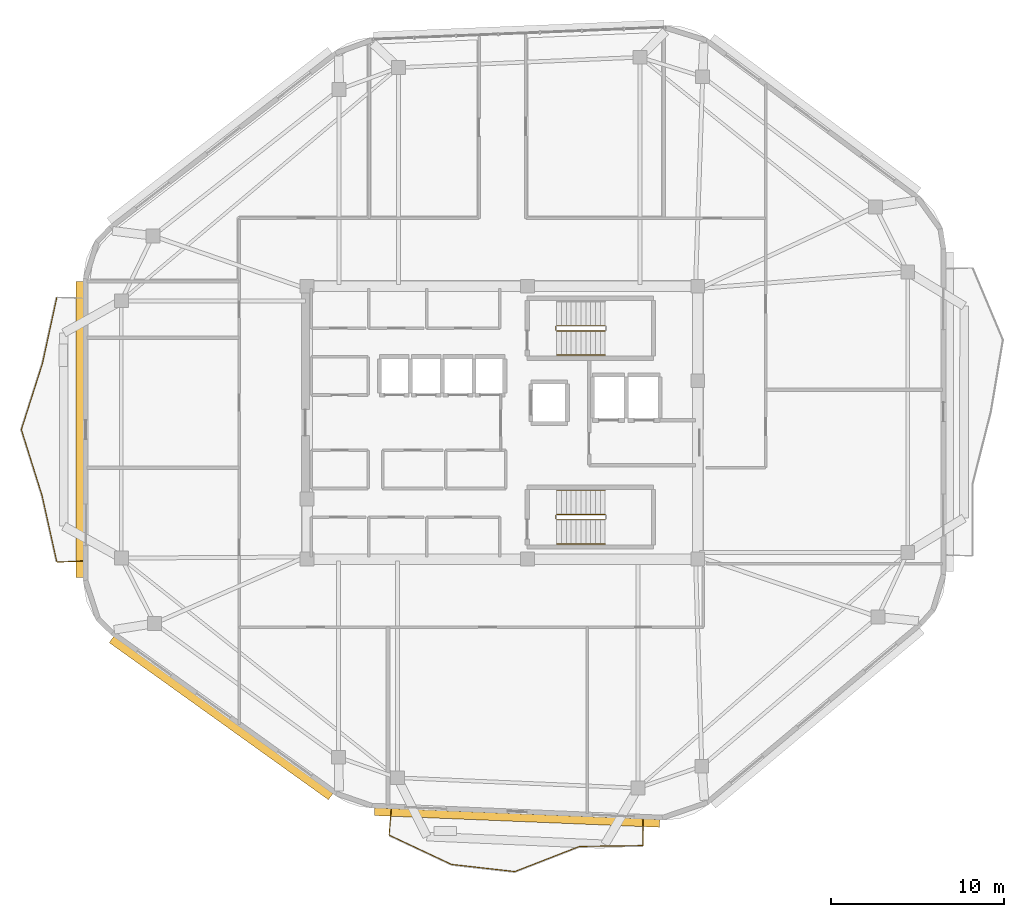
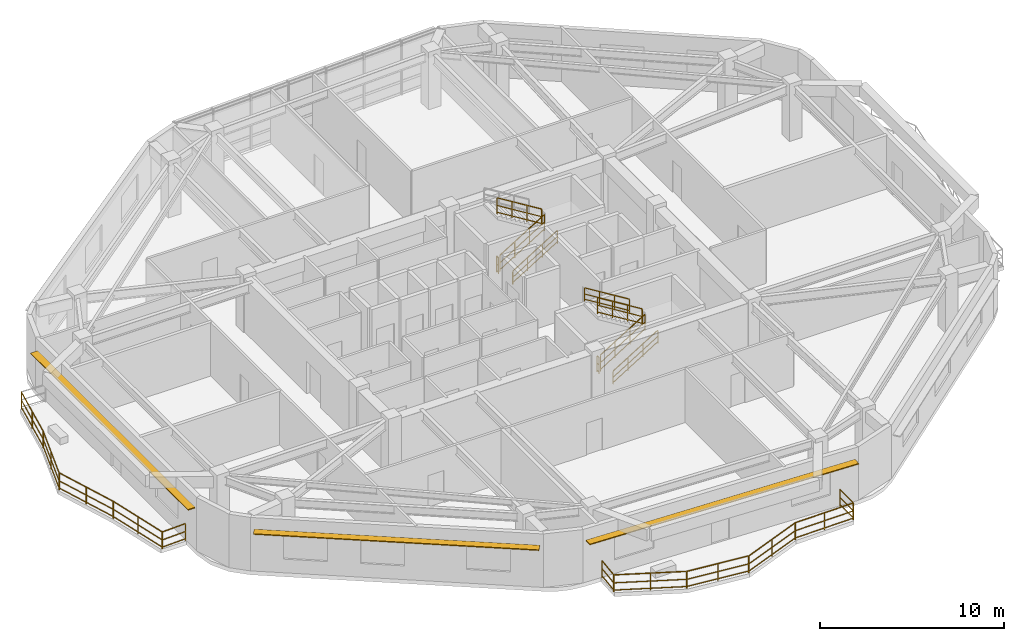
# One storey, part 10 of 12: 20 railings, 3 shading devices.
"""IFC4 building model written with IfcOpenShell, lengths in metres."""

from ifc_helpers import new_model, si_unit, direction, frame, origin, origin_2d, place, context, subcontext, project, spatial, rectangle, extrude, material, layer, layer_set, type_object, element, save


model = new_model("IFC4")

# Units and contexts
model_context = context("Model", 3, precision=1e-05, world=origin(), true_north=direction((0.0, 1.0)))
body_context = subcontext(model_context, "Body", "Model", "MODEL_VIEW")
ifc_project = project(units=[si_unit("LENGTHUNIT", "METRE"), si_unit("AREAUNIT", "SQUARE_METRE"), si_unit("VOLUMEUNIT", "CUBIC_METRE"), si_unit("PLANEANGLEUNIT", "RADIAN"), si_unit("MASSUNIT", "GRAM", prefix="KILO")], contexts=[model_context])

# Site, building, storey
site_placement = place(None, origin())
site = spatial("IfcSite", under=ifc_project, at=site_placement, CompositionType="ELEMENT")
building_placement = place(site_placement, origin())
building = spatial("IfcBuilding", under=site, at=building_placement, Name="Zulverin Broadcast Headquarters", CompositionType="ELEMENT")
storey_placement = place(building_placement, frame((0.0, 0.0, 289.60009765625)))
storey = spatial("IfcBuildingStorey", under=building, at=storey_placement, Name="L74", CompositionType="ELEMENT", Elevation=289.60009765625)

# Railings
ifc_material_1 = material(Name="Brushed stainless steel & laminated glass balustrade", Category="steel")
railing_type_1 = type_object("IfcRailingType", Name="RL-GUARD-1150", PredefinedType="GUARDRAIL", material=ifc_material_1)
railing_1_placement = place(storey_placement, frame((30.580078125, 2.86572265625, 0.0)))
element("IfcRailing", 1, at=railing_1_placement, inside=storey, type_object=railing_type_1, Name="L74 Vertical-Forest Balcony Guardrail BAL_S Segment 01", PredefinedType="GUARDRAIL", context=body_context, shape_type="SweptSolid", body=[
    extrude(rectangle(XDim=0.048095703125, YDim=0.048095703125, at=origin_2d()), frame((0.0, 0.0, 1.1259765625), z_axis=(-0.08159832835, -0.996665296281, 0.0), x_axis=(0.996665296281, -0.08159832835, 0.0)), (0.0, 0.0, 1.0), 1.466064453125),
    extrude(rectangle(XDim=0.0419921875, YDim=0.0419921875, at=origin_2d()), frame((0.0, 0.0, 0.597900390625), z_axis=(-0.08159832835, -0.996665296281, 0.0), x_axis=(0.996665296281, -0.08159832835, 0.0)), (0.0, 0.0, 1.0), 1.466064453125),
    extrude(rectangle(XDim=0.0419921875, YDim=0.0419921875, at=origin_2d()), frame((0.0, 0.0, 0.1201171875), z_axis=(-0.08159832835, -0.996665296281, 0.0), x_axis=(0.996665296281, -0.08159832835, 0.0)), (0.0, 0.0, 1.0), 1.466064453125),
    extrude(rectangle(XDim=0.0419921875, YDim=0.0419921875, at=origin_2d()), origin(), (0.0, 0.0, 1.0), 1.101806640625),
    extrude(rectangle(XDim=0.0419921875, YDim=0.0419921875, at=origin_2d()), frame((-0.11962890625, -1.461181640625, 0.0)), (0.0, 0.0, 1.0), 1.101806640625),
])
railing_2_placement = place(storey_placement, frame((30.472900390625, 1.383056640625, 0.0)))
element("IfcRailing", 2, at=railing_2_placement, inside=storey, type_object=railing_type_1, Name="L74 Vertical-Forest Balcony Guardrail BAL_S Segment 02", PredefinedType="GUARDRAIL", context=body_context, shape_type="SweptSolid", body=[
    extrude(rectangle(XDim=0.048095703125, YDim=0.048095703125, at=origin_2d()), frame((0.0, 0.0, 1.1259765625), z_axis=(0.905312629382, -0.424745857049, 0.0), x_axis=(0.424745857049, 0.905312629382, 0.0)), (0.0, 0.0, 1.0), 3.949462890625),
    extrude(rectangle(XDim=0.0419921875, YDim=0.0419921875, at=origin_2d()), frame((0.0, 0.0, 0.597900390625), z_axis=(0.905312629382, -0.424745857049, 0.0), x_axis=(0.424745857049, 0.905312629382, 0.0)), (0.0, 0.0, 1.0), 3.949462890625),
    extrude(rectangle(XDim=0.0419921875, YDim=0.0419921875, at=origin_2d()), frame((0.0, 0.0, 0.1201171875), z_axis=(0.905312629382, -0.424745857049, 0.0), x_axis=(0.424745857049, 0.905312629382, 0.0)), (0.0, 0.0, 1.0), 3.949462890625),
    extrude(rectangle(XDim=0.0419921875, YDim=0.0419921875, at=origin_2d()), origin(), (0.0, 0.0, 1.0), 1.101806640625),
    extrude(rectangle(XDim=0.0419921875, YDim=0.0419921875, at=origin_2d()), frame((1.78759765625, -0.8388671875, 0.0)), (0.0, 0.0, 1.0), 1.101806640625),
    extrude(rectangle(XDim=0.0419921875, YDim=0.0419921875, at=origin_2d()), frame((3.575439453125, -1.677490234375, 0.0)), (0.0, 0.0, 1.0), 1.101806640625),
])
railing_3_placement = place(storey_placement, frame((34.076904296875, -0.302490234375, 0.0)))
element("IfcRailing", 3, at=railing_3_placement, inside=storey, type_object=railing_type_1, Name="L74 Vertical-Forest Balcony Guardrail BAL_S Segment 03", PredefinedType="GUARDRAIL", context=body_context, shape_type="SweptSolid", body=[
    extrude(rectangle(XDim=0.048095703125, YDim=0.048095703125, at=origin_2d()), frame((0.0, 0.0, 1.1259765625), z_axis=(0.993697909908, -0.11209131922, 0.0), x_axis=(0.11209131922, 0.993697909908, 0.0)), (0.0, 0.0, 1.0), 3.648193359375),
    extrude(rectangle(XDim=0.0419921875, YDim=0.0419921875, at=origin_2d()), frame((0.0, 0.0, 0.597900390625), z_axis=(0.993697909908, -0.11209131922, 0.0), x_axis=(0.11209131922, 0.993697909908, 0.0)), (0.0, 0.0, 1.0), 3.648193359375),
    extrude(rectangle(XDim=0.0419921875, YDim=0.0419921875, at=origin_2d()), frame((0.0, 0.0, 0.1201171875), z_axis=(0.993697909908, -0.11209131922, 0.0), x_axis=(0.11209131922, 0.993697909908, 0.0)), (0.0, 0.0, 1.0), 3.648193359375),
    extrude(rectangle(XDim=0.0419921875, YDim=0.0419921875, at=origin_2d()), origin(), (0.0, 0.0, 1.0), 1.101806640625),
    extrude(rectangle(XDim=0.0419921875, YDim=0.0419921875, at=origin_2d()), frame((1.8125, -0.20458984375, 0.0)), (0.0, 0.0, 1.0), 1.101806640625),
    extrude(rectangle(XDim=0.0419921875, YDim=0.0419921875, at=origin_2d()), frame((3.625244140625, -0.408935546875, 0.0)), (0.0, 0.0, 1.0), 1.101806640625),
])
railing_4_placement = place(storey_placement, frame((37.731201171875, -0.707763671875, 0.0)))
element("IfcRailing", 4, at=railing_4_placement, inside=storey, type_object=railing_type_1, Name="L74 Vertical-Forest Balcony Guardrail BAL_S Segment 04", PredefinedType="GUARDRAIL", context=body_context, shape_type="SweptSolid", body=[
    extrude(rectangle(XDim=0.048095703125, YDim=0.048095703125, at=origin_2d()), frame((0.0, 0.0, 1.1259765625), z_axis=(0.931972385527, 0.362529271391, 0.0), x_axis=(-0.362529271391, 0.931972385527, 0.0)), (0.0, 0.0, 1.0), 3.973876953125),
    extrude(rectangle(XDim=0.0419921875, YDim=0.0419921875, at=origin_2d()), frame((0.0, 0.0, 0.597900390625), z_axis=(0.931972385527, 0.362529271391, 0.0), x_axis=(-0.362529271391, 0.931972385527, 0.0)), (0.0, 0.0, 1.0), 3.973876953125),
    extrude(rectangle(XDim=0.0419921875, YDim=0.0419921875, at=origin_2d()), frame((0.0, 0.0, 0.1201171875), z_axis=(0.931972385527, 0.362529271391, 0.0), x_axis=(-0.362529271391, 0.931972385527, 0.0)), (0.0, 0.0, 1.0), 3.973876953125),
    extrude(rectangle(XDim=0.0419921875, YDim=0.0419921875, at=origin_2d()), origin(), (0.0, 0.0, 1.0), 1.101806640625),
    extrude(rectangle(XDim=0.0419921875, YDim=0.0419921875, at=origin_2d()), frame((1.851806640625, 0.72021484375, 0.0)), (0.0, 0.0, 1.0), 1.101806640625),
    extrude(rectangle(XDim=0.0419921875, YDim=0.0419921875, at=origin_2d()), frame((3.70361328125, 1.440673828125, 0.0)), (0.0, 0.0, 1.0), 1.101806640625),
])
railing_5_placement = place(storey_placement, frame((41.4638671875, 0.73828125, 0.0)))
element("IfcRailing", 5, at=railing_5_placement, inside=storey, type_object=railing_type_1, Name="L74 Vertical-Forest Balcony Guardrail BAL_S Segment 05", PredefinedType="GUARDRAIL", context=body_context, shape_type="SweptSolid", body=[
    extrude(rectangle(XDim=0.048095703125, YDim=0.048095703125, at=origin_2d()), frame((0.0, 0.0, 1.1259765625), z_axis=(0.999912025624, 0.013264275832, 0.0), x_axis=(-0.013264275832, 0.999912025624, 0.0)), (0.0, 0.0, 1.0), 3.644287109375),
    extrude(rectangle(XDim=0.0419921875, YDim=0.0419921875, at=origin_2d()), frame((0.0, 0.0, 0.597900390625), z_axis=(0.999912025624, 0.013264275832, 0.0), x_axis=(-0.013264275832, 0.999912025624, 0.0)), (0.0, 0.0, 1.0), 3.644287109375),
    extrude(rectangle(XDim=0.0419921875, YDim=0.0419921875, at=origin_2d()), frame((0.0, 0.0, 0.1201171875), z_axis=(0.999912025624, 0.013264275832, 0.0), x_axis=(-0.013264275832, 0.999912025624, 0.0)), (0.0, 0.0, 1.0), 3.644287109375),
    extrude(rectangle(XDim=0.0419921875, YDim=0.0419921875, at=origin_2d()), origin(), (0.0, 0.0, 1.0), 1.101806640625),
    extrude(rectangle(XDim=0.0419921875, YDim=0.0419921875, at=origin_2d()), frame((1.822021484375, 0.024169921875, 0.0)), (0.0, 0.0, 1.0), 1.101806640625),
    extrude(rectangle(XDim=0.0419921875, YDim=0.0419921875, at=origin_2d()), frame((3.64404296875, 0.04833984375, 0.0)), (0.0, 0.0, 1.0), 1.101806640625),
])
railing_6_placement = place(storey_placement, frame((45.123046875, 0.8017578125, 0.0)))
element("IfcRailing", 6, at=railing_6_placement, inside=storey, type_object=railing_type_1, Name="L74 Vertical-Forest Balcony Guardrail BAL_S Segment 06", PredefinedType="GUARDRAIL", context=body_context, shape_type="SweptSolid", body=[
    extrude(rectangle(XDim=0.048095703125, YDim=0.048095703125, at=origin_2d()), frame((0.0, 0.0, 1.1259765625), z_axis=(0.000499500437, 0.99999987525, 0.0), x_axis=(-0.99999987525, 0.000499500437, 0.0)), (0.0, 0.0, 1.0), 1.46630859375),
    extrude(rectangle(XDim=0.0419921875, YDim=0.0419921875, at=origin_2d()), frame((0.0, 0.0, 0.597900390625), z_axis=(0.000499500437, 0.99999987525, 0.0), x_axis=(-0.99999987525, 0.000499500437, 0.0)), (0.0, 0.0, 1.0), 1.46630859375),
    extrude(rectangle(XDim=0.0419921875, YDim=0.0419921875, at=origin_2d()), frame((0.0, 0.0, 0.1201171875), z_axis=(0.000499500437, 0.99999987525, 0.0), x_axis=(-0.99999987525, 0.000499500437, 0.0)), (0.0, 0.0, 1.0), 1.46630859375),
    extrude(rectangle(XDim=0.0419921875, YDim=0.0419921875, at=origin_2d()), origin(), (0.0, 0.0, 1.0), 1.101806640625),
    extrude(rectangle(XDim=0.0419921875, YDim=0.0419921875, at=origin_2d()), frame((0.000732421875, 1.46630859375, 0.0)), (0.0, 0.0, 1.0), 1.101806640625),
])
railing_7_placement = place(storey_placement, frame((11.27685546875, 32.433349609375, 0.0)))
element("IfcRailing", 7, at=railing_7_placement, inside=storey, type_object=railing_type_1, Name="L74 Vertical-Forest Balcony Guardrail BAL_W Segment 02", PredefinedType="GUARDRAIL", context=body_context, shape_type="SweptSolid", body=[
    extrude(rectangle(XDim=0.048095703125, YDim=0.048095703125, at=origin_2d()), frame((0.0, 0.0, 1.1259765625), z_axis=(-0.212554923613, -0.977149120886, 0.0), x_axis=(0.977149120886, -0.212554923613, 0.0)), (0.0, 0.0, 1.0), 3.88330078125),
    extrude(rectangle(XDim=0.0419921875, YDim=0.0419921875, at=origin_2d()), frame((0.0, 0.0, 0.597900390625), z_axis=(-0.212554923613, -0.977149120886, 0.0), x_axis=(0.977149120886, -0.212554923613, 0.0)), (0.0, 0.0, 1.0), 3.88330078125),
    extrude(rectangle(XDim=0.0419921875, YDim=0.0419921875, at=origin_2d()), frame((0.0, 0.0, 0.1201171875), z_axis=(-0.212554923613, -0.977149120886, 0.0), x_axis=(0.977149120886, -0.212554923613, 0.0)), (0.0, 0.0, 1.0), 3.88330078125),
    extrude(rectangle(XDim=0.0419921875, YDim=0.0419921875, at=origin_2d()), origin(), (0.0, 0.0, 1.0), 1.101806640625),
    extrude(rectangle(XDim=0.0419921875, YDim=0.0419921875, at=origin_2d()), frame((-0.41259765625, -1.8974609375, 0.0)), (0.0, 0.0, 1.0), 1.101806640625),
    extrude(rectangle(XDim=0.0419921875, YDim=0.0419921875, at=origin_2d()), frame((-0.825439453125, -3.794677734375, 0.0)), (0.0, 0.0, 1.0), 1.101806640625),
])
railing_8_placement = place(storey_placement, frame((10.443603515625, 28.609619140625, 0.0)))
element("IfcRailing", 8, at=railing_8_placement, inside=storey, type_object=railing_type_1, Name="L74 Vertical-Forest Balcony Guardrail BAL_W Segment 03", PredefinedType="GUARDRAIL", context=body_context, shape_type="SweptSolid", body=[
    extrude(rectangle(XDim=0.048095703125, YDim=0.048095703125, at=origin_2d()), frame((0.0, 0.0, 1.1259765625), z_axis=(-0.303512280467, -0.952827526684, 0.0), x_axis=(0.952827526684, -0.303512280467, 0.0)), (0.0, 0.0, 1.0), 3.9833984375),
    extrude(rectangle(XDim=0.0419921875, YDim=0.0419921875, at=origin_2d()), frame((0.0, 0.0, 0.597900390625), z_axis=(-0.303512280467, -0.952827526684, 0.0), x_axis=(0.952827526684, -0.303512280467, 0.0)), (0.0, 0.0, 1.0), 3.9833984375),
    extrude(rectangle(XDim=0.0419921875, YDim=0.0419921875, at=origin_2d()), frame((0.0, 0.0, 0.1201171875), z_axis=(-0.303512280467, -0.952827526684, 0.0), x_axis=(0.952827526684, -0.303512280467, 0.0)), (0.0, 0.0, 1.0), 3.9833984375),
    extrude(rectangle(XDim=0.0419921875, YDim=0.0419921875, at=origin_2d()), origin(), (0.0, 0.0, 1.0), 1.101806640625),
    extrude(rectangle(XDim=0.0419921875, YDim=0.0419921875, at=origin_2d()), frame((-0.6044921875, -1.897705078125, 0.0)), (0.0, 0.0, 1.0), 1.101806640625),
    extrude(rectangle(XDim=0.0419921875, YDim=0.0419921875, at=origin_2d()), frame((-1.208984375, -3.79541015625, 0.0)), (0.0, 0.0, 1.0), 1.101806640625),
])
railing_9_placement = place(storey_placement, frame((9.234619140625, 24.785400390625, 0.0)))
element("IfcRailing", 9, at=railing_9_placement, inside=storey, type_object=railing_type_1, Name="L74 Vertical-Forest Balcony Guardrail BAL_W Segment 04", PredefinedType="GUARDRAIL", context=body_context, shape_type="SweptSolid", body=[
    extrude(rectangle(XDim=0.048095703125, YDim=0.048095703125, at=origin_2d()), frame((0.0, 0.0, 1.1259765625), z_axis=(0.299330213992, -0.954149581036, 0.0), x_axis=(0.954149581036, 0.299330213992, 0.0)), (0.0, 0.0, 1.0), 3.977783203125),
    extrude(rectangle(XDim=0.0419921875, YDim=0.0419921875, at=origin_2d()), frame((0.0, 0.0, 0.597900390625), z_axis=(0.299330213992, -0.954149581036, 0.0), x_axis=(0.954149581036, 0.299330213992, 0.0)), (0.0, 0.0, 1.0), 3.977783203125),
    extrude(rectangle(XDim=0.0419921875, YDim=0.0419921875, at=origin_2d()), frame((0.0, 0.0, 0.1201171875), z_axis=(0.299330213992, -0.954149581036, 0.0), x_axis=(0.954149581036, 0.299330213992, 0.0)), (0.0, 0.0, 1.0), 3.977783203125),
    extrude(rectangle(XDim=0.0419921875, YDim=0.0419921875, at=origin_2d()), origin(), (0.0, 0.0, 1.0), 1.101806640625),
    extrude(rectangle(XDim=0.0419921875, YDim=0.0419921875, at=origin_2d()), frame((0.59521484375, -1.897705078125, 0.0)), (0.0, 0.0, 1.0), 1.101806640625),
    extrude(rectangle(XDim=0.0419921875, YDim=0.0419921875, at=origin_2d()), frame((1.190673828125, -3.79541015625, 0.0)), (0.0, 0.0, 1.0), 1.101806640625),
])
railing_10_placement = place(storey_placement, frame((10.43310546875, 20.961181640625, 0.0)))
element("IfcRailing", 10, at=railing_10_placement, inside=storey, type_object=railing_type_1, Name="L74 Vertical-Forest Balcony Guardrail BAL_W Segment 05", PredefinedType="GUARDRAIL", context=body_context, shape_type="SweptSolid", body=[
    extrude(rectangle(XDim=0.048095703125, YDim=0.048095703125, at=origin_2d()), frame((0.0, 0.0, 1.1259765625), z_axis=(0.216977004099, -0.976176715402, 0.0), x_axis=(0.976176715402, 0.216977004099, 0.0)), (0.0, 0.0, 1.0), 3.887451171875),
    extrude(rectangle(XDim=0.0419921875, YDim=0.0419921875, at=origin_2d()), frame((0.0, 0.0, 0.597900390625), z_axis=(0.216977004099, -0.976176715402, 0.0), x_axis=(0.976176715402, 0.216977004099, 0.0)), (0.0, 0.0, 1.0), 3.887451171875),
    extrude(rectangle(XDim=0.0419921875, YDim=0.0419921875, at=origin_2d()), frame((0.0, 0.0, 0.1201171875), z_axis=(0.216977004099, -0.976176715402, 0.0), x_axis=(0.976176715402, 0.216977004099, 0.0)), (0.0, 0.0, 1.0), 3.887451171875),
    extrude(rectangle(XDim=0.0419921875, YDim=0.0419921875, at=origin_2d()), origin(), (0.0, 0.0, 1.0), 1.101806640625),
    extrude(rectangle(XDim=0.0419921875, YDim=0.0419921875, at=origin_2d()), frame((0.421875, -1.8974609375, 0.0)), (0.0, 0.0, 1.0), 1.101806640625),
    extrude(rectangle(XDim=0.0419921875, YDim=0.0419921875, at=origin_2d()), frame((0.843505859375, -3.794921875, 0.0)), (0.0, 0.0, 1.0), 1.101806640625),
])
railing_11_placement = place(storey_placement, frame((11.294921875, 17.15234375, 0.0)))
element("IfcRailing", 11, at=railing_11_placement, inside=storey, type_object=railing_type_1, Name="L74 Vertical-Forest Balcony Guardrail BAL_W Segment 06", PredefinedType="GUARDRAIL", context=body_context, shape_type="SweptSolid", body=[
    extrude(rectangle(XDim=0.048095703125, YDim=0.048095703125, at=origin_2d()), frame((0.0, 0.0, 1.1259765625), z_axis=(0.999181155166, 0.040460093435, 0.0), x_axis=(-0.040460093435, 0.999181155166, 0.0)), (0.0, 0.0, 1.0), 1.46630859375),
    extrude(rectangle(XDim=0.0419921875, YDim=0.0419921875, at=origin_2d()), frame((0.0, 0.0, 0.597900390625), z_axis=(0.999181155166, 0.040460093435, 0.0), x_axis=(-0.040460093435, 0.999181155166, 0.0)), (0.0, 0.0, 1.0), 1.46630859375),
    extrude(rectangle(XDim=0.0419921875, YDim=0.0419921875, at=origin_2d()), frame((0.0, 0.0, 0.1201171875), z_axis=(0.999181155166, 0.040460093435, 0.0), x_axis=(-0.040460093435, 0.999181155166, 0.0)), (0.0, 0.0, 1.0), 1.46630859375),
    extrude(rectangle(XDim=0.0419921875, YDim=0.0419921875, at=origin_2d()), origin(), (0.0, 0.0, 1.0), 1.101806640625),
    extrude(rectangle(XDim=0.0419921875, YDim=0.0419921875, at=origin_2d()), frame((1.465087890625, 0.059326171875, 0.0)), (0.0, 0.0, 1.0), 1.101806640625),
])
ifc_material_2 = material(Name="Painted galvanized steel tubular guardrail S355JR", Category="steel")
railing_type_2 = type_object("IfcRailingType", Name="RL-ST-GUARD", PredefinedType="GUARDRAIL", material=ifc_material_2)
railing_12_placement = place(storey_placement, frame((40.1298828125, 30.5, 0.172607421875)))
element("IfcRailing", 12, at=railing_12_placement, inside=storey, type_object=railing_type_2, Name="L74 ST-1 stair guard 1", PredefinedType="GUARDRAIL", context=body_context, shape_type="SweptSolid", body=[
    extrude(rectangle(XDim=0.048095703125, YDim=0.048095703125, at=origin_2d()), frame((0.0, 0.0, 1.076171875), z_axis=(0.851089632645, 0.0, 0.525020415988), x_axis=(0.0, 1.0, 0.0)), (0.0, 0.0, 1.0), 3.2900390625),
    extrude(rectangle(XDim=0.0419921875, YDim=0.0419921875, at=origin_2d()), frame((0.0, 0.0, 0.572021484375), z_axis=(0.851089632645, 0.0, 0.525020415988), x_axis=(0.0, 1.0, 0.0)), (0.0, 0.0, 1.0), 3.2900390625),
    extrude(rectangle(XDim=0.0419921875, YDim=0.0419921875, at=origin_2d()), frame((0.0, 0.0, 0.1201171875), z_axis=(0.851089632645, 0.0, 0.525020415988), x_axis=(0.0, 1.0, 0.0)), (0.0, 0.0, 1.0), 3.2900390625),
    extrude(rectangle(XDim=0.0419921875, YDim=0.0419921875, at=origin_2d()), origin(), (0.0, 0.0, 1.0), 1.052001953125),
    extrude(rectangle(XDim=0.0419921875, YDim=0.0419921875, at=origin_2d()), frame((0.933349609375, 0.0, 0.57568359375)), (0.0, 0.0, 1.0), 1.052001953125),
    extrude(rectangle(XDim=0.0419921875, YDim=0.0419921875, at=origin_2d()), frame((1.86669921875, 0.0, 1.151611328125)), (0.0, 0.0, 1.0), 1.052001953125),
    extrude(rectangle(XDim=0.0419921875, YDim=0.0419921875, at=origin_2d()), frame((2.800048828125, 0.0, 1.727294921875)), (0.0, 0.0, 1.0), 1.052001953125),
])
railing_13_placement = place(storey_placement, frame((42.929931640625, 30.800048828125, 2.072509765625)))
element("IfcRailing", 13, at=railing_13_placement, inside=storey, type_object=railing_type_2, Name="L74 ST-1 stair guard 3", PredefinedType="GUARDRAIL", context=body_context, shape_type="SweptSolid", body=[
    extrude(rectangle(XDim=0.048095703125, YDim=0.048095703125, at=origin_2d()), frame((0.0, 0.0, 1.076171875), z_axis=(-0.851089632645, 0.0, 0.525020415988), x_axis=(0.0, -1.0, 0.0)), (0.0, 0.0, 1.0), 3.2900390625),
    extrude(rectangle(XDim=0.0419921875, YDim=0.0419921875, at=origin_2d()), frame((0.0, 0.0, 0.572021484375), z_axis=(-0.851089632645, 0.0, 0.525020415988), x_axis=(0.0, -1.0, 0.0)), (0.0, 0.0, 1.0), 3.2900390625),
    extrude(rectangle(XDim=0.0419921875, YDim=0.0419921875, at=origin_2d()), frame((0.0, 0.0, 0.1201171875), z_axis=(-0.851089632645, 0.0, 0.525020415988), x_axis=(0.0, -1.0, 0.0)), (0.0, 0.0, 1.0), 3.2900390625),
    extrude(rectangle(XDim=0.0419921875, YDim=0.0419921875, at=origin_2d()), origin(), (0.0, 0.0, 1.0), 1.052001953125),
    extrude(rectangle(XDim=0.0419921875, YDim=0.0419921875, at=origin_2d()), frame((-0.933349609375, 0.0, 0.57568359375)), (0.0, 0.0, 1.0), 1.052001953125),
    extrude(rectangle(XDim=0.0419921875, YDim=0.0419921875, at=origin_2d()), frame((-1.86669921875, 0.0, 1.151611328125)), (0.0, 0.0, 1.0), 1.052001953125),
    extrude(rectangle(XDim=0.0419921875, YDim=0.0419921875, at=origin_2d()), frame((-2.800048828125, 0.0, 1.727294921875)), (0.0, 0.0, 1.0), 1.052001953125),
])
railing_14_placement = place(storey_placement, frame((40.080078125, 30.550048828125, 0.0)))
element("IfcRailing", 14, at=railing_14_placement, inside=storey, type_object=railing_type_2, Name="L74 ST-1 stair guard 4", PredefinedType="GUARDRAIL", context=body_context, shape_type="SweptSolid", body=[
    extrude(rectangle(XDim=0.048095703125, YDim=0.048095703125, at=origin_2d()), frame((0.0, 0.0, 1.076171875), z_axis=(0.0, 1.0, 0.0), x_axis=(-1.0, 0.0, 0.0)), (0.0, 0.0, 1.0), 0.199951171875),
    extrude(rectangle(XDim=0.0419921875, YDim=0.0419921875, at=origin_2d()), frame((0.0, 0.0, 0.572021484375), z_axis=(0.0, 1.0, 0.0), x_axis=(-1.0, 0.0, 0.0)), (0.0, 0.0, 1.0), 0.199951171875),
    extrude(rectangle(XDim=0.0419921875, YDim=0.0419921875, at=origin_2d()), frame((0.0, 0.0, 0.1201171875), z_axis=(0.0, 1.0, 0.0), x_axis=(-1.0, 0.0, 0.0)), (0.0, 0.0, 1.0), 0.199951171875),
    extrude(rectangle(XDim=0.0419921875, YDim=0.0419921875, at=origin_2d()), origin(), (0.0, 0.0, 1.0), 1.052001953125),
    extrude(rectangle(XDim=0.0419921875, YDim=0.0419921875, at=origin_2d()), frame((0.0, 0.199951171875, 0.0)), (0.0, 0.0, 1.0), 1.052001953125),
])
railing_15_placement = place(storey_placement, frame((40.1298828125, 19.60009765625, 0.172607421875)))
element("IfcRailing", 15, at=railing_15_placement, inside=storey, type_object=railing_type_2, Name="L74 ST-2 stair guard 1", PredefinedType="GUARDRAIL", context=body_context, shape_type="SweptSolid", body=[
    extrude(rectangle(XDim=0.048095703125, YDim=0.048095703125, at=origin_2d()), frame((0.0, 0.0, 1.076171875), z_axis=(0.851089632645, 0.0, 0.525020415988), x_axis=(0.0, 1.0, 0.0)), (0.0, 0.0, 1.0), 3.2900390625),
    extrude(rectangle(XDim=0.0419921875, YDim=0.0419921875, at=origin_2d()), frame((0.0, 0.0, 0.572021484375), z_axis=(0.851089632645, 0.0, 0.525020415988), x_axis=(0.0, 1.0, 0.0)), (0.0, 0.0, 1.0), 3.2900390625),
    extrude(rectangle(XDim=0.0419921875, YDim=0.0419921875, at=origin_2d()), frame((0.0, 0.0, 0.1201171875), z_axis=(0.851089632645, 0.0, 0.525020415988), x_axis=(0.0, 1.0, 0.0)), (0.0, 0.0, 1.0), 3.2900390625),
    extrude(rectangle(XDim=0.0419921875, YDim=0.0419921875, at=origin_2d()), origin(), (0.0, 0.0, 1.0), 1.052001953125),
    extrude(rectangle(XDim=0.0419921875, YDim=0.0419921875, at=origin_2d()), frame((0.933349609375, 0.0, 0.57568359375)), (0.0, 0.0, 1.0), 1.052001953125),
    extrude(rectangle(XDim=0.0419921875, YDim=0.0419921875, at=origin_2d()), frame((1.86669921875, 0.0, 1.151611328125)), (0.0, 0.0, 1.0), 1.052001953125),
    extrude(rectangle(XDim=0.0419921875, YDim=0.0419921875, at=origin_2d()), frame((2.800048828125, 0.0, 1.727294921875)), (0.0, 0.0, 1.0), 1.052001953125),
])
railing_16_placement = place(storey_placement, frame((42.929931640625, 19.89990234375, 2.072509765625)))
element("IfcRailing", 16, at=railing_16_placement, inside=storey, type_object=railing_type_2, Name="L74 ST-2 stair guard 3", PredefinedType="GUARDRAIL", context=body_context, shape_type="SweptSolid", body=[
    extrude(rectangle(XDim=0.048095703125, YDim=0.048095703125, at=origin_2d()), frame((0.0, 0.0, 1.076171875), z_axis=(-0.851089632645, 0.0, 0.525020415988), x_axis=(0.0, -1.0, 0.0)), (0.0, 0.0, 1.0), 3.2900390625),
    extrude(rectangle(XDim=0.0419921875, YDim=0.0419921875, at=origin_2d()), frame((0.0, 0.0, 0.572021484375), z_axis=(-0.851089632645, 0.0, 0.525020415988), x_axis=(0.0, -1.0, 0.0)), (0.0, 0.0, 1.0), 3.2900390625),
    extrude(rectangle(XDim=0.0419921875, YDim=0.0419921875, at=origin_2d()), frame((0.0, 0.0, 0.1201171875), z_axis=(-0.851089632645, 0.0, 0.525020415988), x_axis=(0.0, -1.0, 0.0)), (0.0, 0.0, 1.0), 3.2900390625),
    extrude(rectangle(XDim=0.0419921875, YDim=0.0419921875, at=origin_2d()), origin(), (0.0, 0.0, 1.0), 1.052001953125),
    extrude(rectangle(XDim=0.0419921875, YDim=0.0419921875, at=origin_2d()), frame((-0.933349609375, 0.0, 0.57568359375)), (0.0, 0.0, 1.0), 1.052001953125),
    extrude(rectangle(XDim=0.0419921875, YDim=0.0419921875, at=origin_2d()), frame((-1.86669921875, 0.0, 1.151611328125)), (0.0, 0.0, 1.0), 1.052001953125),
    extrude(rectangle(XDim=0.0419921875, YDim=0.0419921875, at=origin_2d()), frame((-2.800048828125, 0.0, 1.727294921875)), (0.0, 0.0, 1.0), 1.052001953125),
])
railing_17_placement = place(storey_placement, frame((40.080078125, 19.64990234375, 0.0)))
element("IfcRailing", 17, at=railing_17_placement, inside=storey, type_object=railing_type_2, Name="L74 ST-2 stair guard 4", PredefinedType="GUARDRAIL", context=body_context, shape_type="SweptSolid", body=[
    extrude(rectangle(XDim=0.048095703125, YDim=0.048095703125, at=origin_2d()), frame((0.0, 0.0, 1.076171875), z_axis=(0.0, 1.0, 0.0), x_axis=(-1.0, 0.0, 0.0)), (0.0, 0.0, 1.0), 0.2001953125),
    extrude(rectangle(XDim=0.0419921875, YDim=0.0419921875, at=origin_2d()), frame((0.0, 0.0, 0.572021484375), z_axis=(0.0, 1.0, 0.0), x_axis=(-1.0, 0.0, 0.0)), (0.0, 0.0, 1.0), 0.2001953125),
    extrude(rectangle(XDim=0.0419921875, YDim=0.0419921875, at=origin_2d()), frame((0.0, 0.0, 0.1201171875), z_axis=(0.0, 1.0, 0.0), x_axis=(-1.0, 0.0, 0.0)), (0.0, 0.0, 1.0), 0.2001953125),
    extrude(rectangle(XDim=0.0419921875, YDim=0.0419921875, at=origin_2d()), origin(), (0.0, 0.0, 1.0), 1.052001953125),
    extrude(rectangle(XDim=0.0419921875, YDim=0.0419921875, at=origin_2d()), frame((0.0, 0.2001953125, 0.0)), (0.0, 0.0, 1.0), 1.052001953125),
])
ifc_material_3 = material(Name="Brushed stainless steel 48 mm handrail", Category="steel")
railing_type_3 = type_object("IfcRailingType", Name="RL-ST-HAND", PredefinedType="HANDRAIL", material=ifc_material_3)
for number, where, name in (
    (18, (40.1298828125, 29.10009765625, 0.172607421875), "L74 ST-1 stair handrail 1"),
    (19, (40.1298828125, 18.199951171875, 0.172607421875), "L74 ST-2 stair handrail 1"),
):
    element("IfcRailing", number, at=place(storey_placement, frame(where)), inside=storey, type_object=railing_type_3, Name=name, PredefinedType="HANDRAIL", context=body_context, shape_type="SweptSolid", body=[
        extrude(rectangle(XDim=0.048095703125, YDim=0.048095703125, at=origin_2d()), frame((0.0, 0.0, 0.8759765625), z_axis=(0.851089632645, 0.0, 0.525020415988), x_axis=(0.0, 1.0, 0.0)), (0.0, 0.0, 1.0), 3.2900390625),
        extrude(rectangle(XDim=0.0419921875, YDim=0.0419921875, at=origin_2d()), frame((0.0, 0.0, 0.468017578125), z_axis=(0.851089632645, 0.0, 0.525020415988), x_axis=(0.0, 1.0, 0.0)), (0.0, 0.0, 1.0), 3.2900390625),
        extrude(rectangle(XDim=0.0419921875, YDim=0.0419921875, at=origin_2d()), frame((0.0, 0.0, 0.1201171875), z_axis=(0.851089632645, 0.0, 0.525020415988), x_axis=(0.0, 1.0, 0.0)), (0.0, 0.0, 1.0), 3.2900390625),
        extrude(rectangle(XDim=0.0419921875, YDim=0.0419921875, at=origin_2d()), origin(), (0.0, 0.0, 1.0), 0.851806640625),
        extrude(rectangle(XDim=0.0419921875, YDim=0.0419921875, at=origin_2d()), frame((0.933349609375, 0.0, 0.57568359375)), (0.0, 0.0, 1.0), 0.851806640625),
        extrude(rectangle(XDim=0.0419921875, YDim=0.0419921875, at=origin_2d()), frame((1.86669921875, 0.0, 1.151611328125)), (0.0, 0.0, 1.0), 0.851806640625),
        extrude(rectangle(XDim=0.0419921875, YDim=0.0419921875, at=origin_2d()), frame((2.800048828125, 0.0, 1.727294921875)), (0.0, 0.0, 1.0), 0.851806640625),
    ])
railing_18_placement = place(storey_placement, frame((42.929931640625, 21.300048828125, 2.072509765625)))
element("IfcRailing", 20, at=railing_18_placement, inside=storey, type_object=railing_type_3, Name="L74 ST-2 stair handrail 2", PredefinedType="HANDRAIL", context=body_context, shape_type="SweptSolid", body=[
    extrude(rectangle(XDim=0.048095703125, YDim=0.048095703125, at=origin_2d()), frame((0.0, 0.0, 0.8759765625), z_axis=(-0.851089632645, 0.0, 0.525020415988), x_axis=(0.0, -1.0, 0.0)), (0.0, 0.0, 1.0), 3.2900390625),
    extrude(rectangle(XDim=0.0419921875, YDim=0.0419921875, at=origin_2d()), frame((0.0, 0.0, 0.468017578125), z_axis=(-0.851089632645, 0.0, 0.525020415988), x_axis=(0.0, -1.0, 0.0)), (0.0, 0.0, 1.0), 3.2900390625),
    extrude(rectangle(XDim=0.0419921875, YDim=0.0419921875, at=origin_2d()), frame((0.0, 0.0, 0.1201171875), z_axis=(-0.851089632645, 0.0, 0.525020415988), x_axis=(0.0, -1.0, 0.0)), (0.0, 0.0, 1.0), 3.2900390625),
    extrude(rectangle(XDim=0.0419921875, YDim=0.0419921875, at=origin_2d()), origin(), (0.0, 0.0, 1.0), 0.851806640625),
    extrude(rectangle(XDim=0.0419921875, YDim=0.0419921875, at=origin_2d()), frame((-0.933349609375, 0.0, 0.57568359375)), (0.0, 0.0, 1.0), 0.851806640625),
    extrude(rectangle(XDim=0.0419921875, YDim=0.0419921875, at=origin_2d()), frame((-1.86669921875, 0.0, 1.151611328125)), (0.0, 0.0, 1.0), 0.851806640625),
    extrude(rectangle(XDim=0.0419921875, YDim=0.0419921875, at=origin_2d()), frame((-2.800048828125, 0.0, 1.727294921875)), (0.0, 0.0, 1.0), 0.851806640625),
])

# Shading devices
ifc_material_4 = material(Name="Anodized pale-metal aluminium sunshade", Category="aluminium")
ifc_layer = layer(ifc_material_4, 0.06005859375, Name="Anodized pale-metal aluminium sunshade", Category="aluminium")
ifc_layer_set = layer_set([ifc_layer], Name="Anodized pale-metal aluminium sunshade")
shading_device_type = type_object("IfcShadingDeviceType", Name="SS-01_PALE_METAL_ALUMINIUM_SUNSHADE", PredefinedType="USERDEFINED", material=ifc_layer_set)
shading_device_1_placement = place(storey_placement, frame((37.84521484375, 2.406982421875, 2.7099609375), z_axis=(0.0, 0.0, 1.0), x_axis=(0.99915627139, -0.041070005388, 0.0)))
element("IfcShadingDevice", 21, at=shading_device_1_placement, inside=storey, type_object=shading_device_type, Name="L74 Horizontal Pale-Metal Sunshade Band 1", ObjectType="SUNSHADE", PredefinedType="USERDEFINED", context=body_context, shape_type="SweptSolid", body=[
    extrude(rectangle(XDim=16.47607421875, YDim=0.449951171875, at=origin_2d()), origin(), (0.0, 0.0, 1.0), 0.06005859375),
])
shading_device_2_placement = place(storey_placement, frame((12.60009765625, 24.7998046875, 2.7099609375), z_axis=(0.0, 0.0, 1.0), x_axis=(0.0, -1.0, 0.0)))
element("IfcShadingDevice", 22, at=shading_device_2_placement, inside=storey, type_object=shading_device_type, Name="L74 Horizontal Pale-Metal Sunshade Band 7", ObjectType="SUNSHADE", PredefinedType="USERDEFINED", context=body_context, shape_type="SweptSolid", body=[
    extrude(rectangle(XDim=17.09619140625, YDim=0.449951171875, at=origin_2d()), origin(), (0.0, 0.0, 1.0), 0.06005859375),
])
shading_device_3_placement = place(storey_placement, frame((20.75927734375, 8.149658203125, 2.7099609375), z_axis=(0.0, 0.0, 1.0), x_axis=(0.812809068128, -0.582530187002, 0.0)))
element("IfcShadingDevice", 23, at=shading_device_3_placement, inside=storey, type_object=shading_device_type, Name="L74 Horizontal Pale-Metal Sunshade Band 8", ObjectType="SUNSHADE", PredefinedType="USERDEFINED", context=body_context, shape_type="SweptSolid", body=[
    extrude(rectangle(XDim=15.567626953125, YDim=0.449951171875, at=origin_2d()), origin(), (0.0, 0.0, 1.0), 0.06005859375),
])

save(model, "model.ifc")
